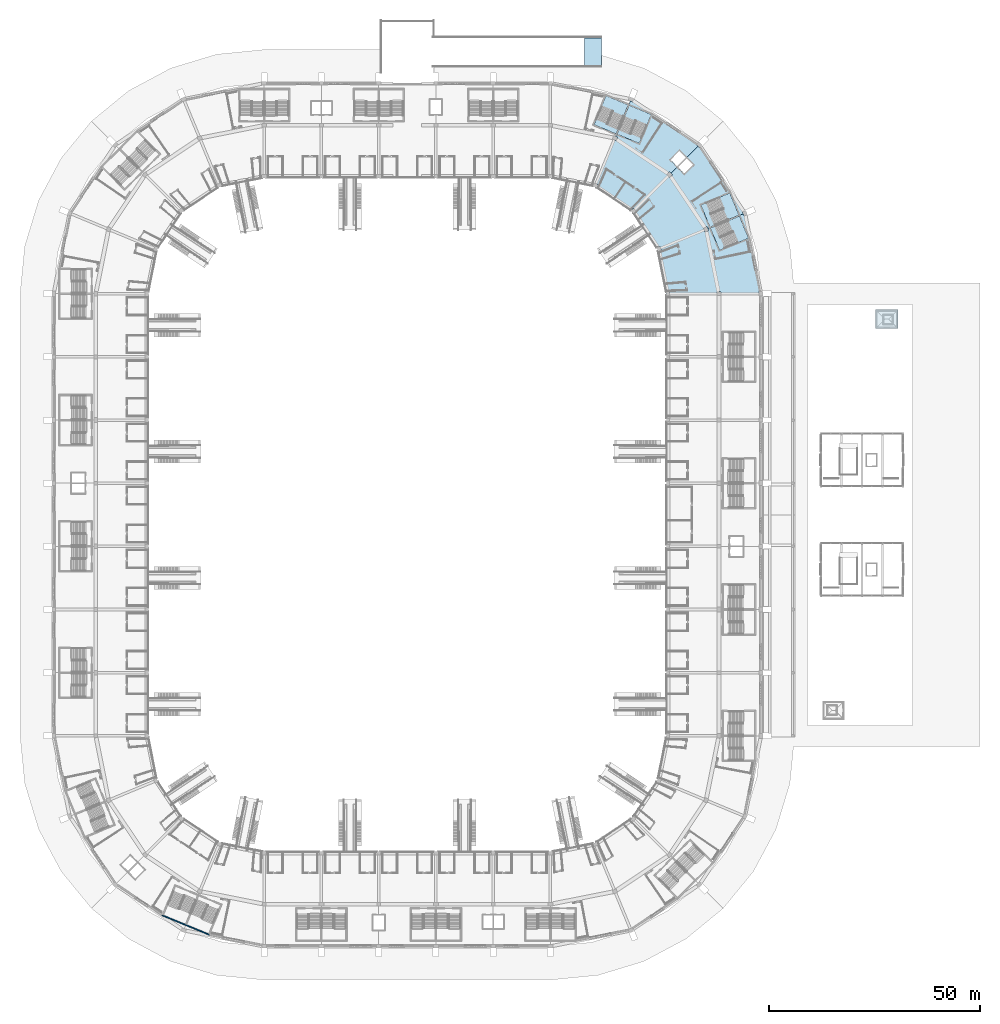
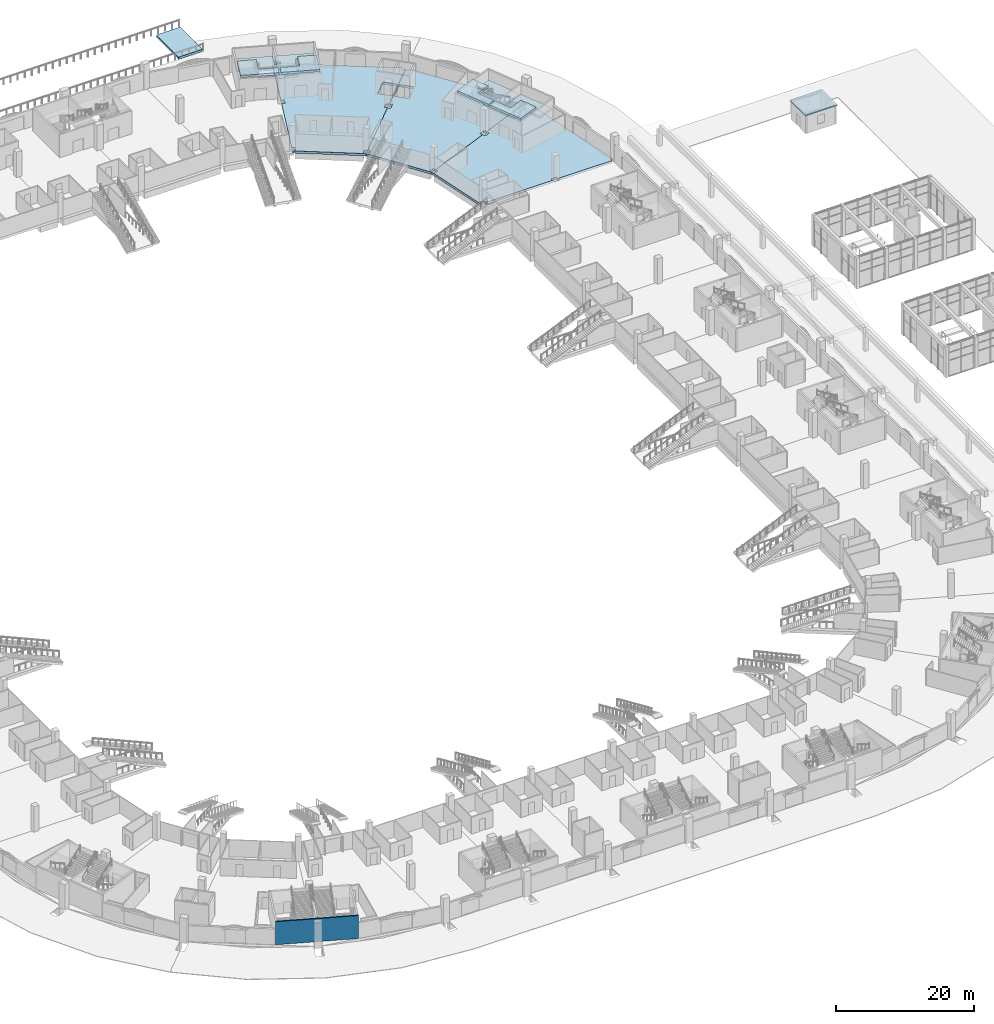
# One storey, part 24 of 175: 13 slabs, 1 wall, 4 elements without a shape of their own.
"""IFC4 building model written with IfcOpenShell, lengths in metres."""

from ifc_helpers import new_model, si_unit, direction, frame, frame_2d, origin, place, context, subcontext, project, spatial, polyline, rectangle, outline, extrude, material, layer, layer_set, type_object, element, aggregate, save


model = new_model("IFC4")

# Units and contexts
model_context = context("Model", 3, precision=1e-05, world=origin(), true_north=direction((0.0, 1.0)))
body_context = subcontext(model_context, "Body", "Model", "MODEL_VIEW")
ifc_project = project(units=[si_unit("LENGTHUNIT", "METRE"), si_unit("AREAUNIT", "SQUARE_METRE"), si_unit("VOLUMEUNIT", "CUBIC_METRE"), si_unit("PLANEANGLEUNIT", "RADIAN"), si_unit("MASSUNIT", "GRAM", prefix="KILO")], contexts=[model_context])

# Site, building, storey
site_placement = place(None, origin())
site = spatial("IfcSite", under=ifc_project, at=site_placement, CompositionType="ELEMENT")
building_placement = place(site_placement, origin())
building = spatial("IfcBuilding", under=site, at=building_placement, Name="Ogive Plaza Stadium", CompositionType="ELEMENT")
storey_placement = place(building_placement, origin())
storey = spatial("IfcBuildingStorey", under=building, at=storey_placement, Name="L00", CompositionType="ELEMENT", Elevation=0.0)

# Slabs
ifc_material_1 = material(Name="Concrete C40/50", Category="concrete")
ifc_layer_1 = layer(ifc_material_1, 0.199951171875)
ifc_layer_set_1 = layer_set([ifc_layer_1], Name="Concrete C40/50")
slab_type_1 = type_object("IfcSlabType", Name="Kiosk roof slab 200", PredefinedType="ROOF", material=ifc_layer_set_1)
slab_1_placement = place(storey_placement, frame((0.0, 0.0, 3.199951171875)))
element("IfcSlab", 1, at=slab_1_placement, inside=storey, type_object=slab_type_1, Name="Kiosk 2 roof", PredefinedType="ROOF", context=body_context, shape_type="SweptSolid", body=[
    extrude(outline(polyline([(111.199951171875, 44.199951171875), (116.60009765625, 44.199951171875), (116.60009765625, 48.699951171875), (111.199951171875, 48.699951171875), (111.199951171875, 44.199951171875)])), origin(), (0.0, 0.0, 1.0), 0.199951171875),
])
ifc_material_2 = material(Name="Concrete C40/50", Category="concrete")
ifc_layer_2 = layer(ifc_material_2, 0.409912109375)
ifc_layer_set_2 = layer_set([ifc_layer_2], Name="Concrete C40/50")
slab_type_2 = type_object("IfcSlabType", Name="RC floor slab 410", PredefinedType="FLOOR", material=ifc_layer_set_2)
slab_2_placement = place(storey_placement, frame((0.0, 0.0, -0.409912109375)))
element("IfcSlab", 2, at=slab_2_placement, inside=storey, type_object=slab_type_2, Name="Floor slab L00 B38", PredefinedType="FLOOR", context=body_context, shape_type="SweptSolid", body=[
    extrude(outline(polyline([(61.966064453125, 80.466064453125), (61.612548828125, 80.819580078125), (62.2490234375, 81.4560546875), (62.6025390625, 81.1025390625), (69.037109375, 87.537109375), (68.648193359375, 87.926025390625), (68.88916015625, 88.1669921875), (53.600341796875, 98.38232421875), (53.47021484375, 98.06787109375), (52.9619140625, 98.2783203125), (49.4794921875, 89.870849609375), (49.94140625, 89.6796875), (49.59716796875, 88.84814453125), (49.135009765625, 89.03955078125), (44.829833984375, 78.645751953125), (45.24560546875, 78.4736328125), (44.939453125, 77.734375), (44.523681640625, 77.90673828125), (53.445556640625, 71.945556640625), (53.127197265625, 72.263671875), (53.69287109375, 72.829345703125), (54.01123046875, 72.51123046875), (61.966064453125, 80.466064453125)]), holes=[polyline([(64.06982421875, 82.74658203125), (66.19091796875, 84.867919921875), (64.635498046875, 86.42333984375), (62.51416015625, 84.30224609375), (64.06982421875, 82.74658203125)])]), origin(), (0.0, 0.0, 1.0), 0.409912109375),
])
slab_3_placement = place(storey_placement, frame((0.0, 0.0, -0.409912109375)))
element("IfcSlab", 3, at=slab_3_placement, inside=storey, type_object=slab_type_2, Name="Floor slab L00 B39", PredefinedType="FLOOR", context=body_context, shape_type="SweptSolid", body=[
    extrude(outline(polyline([(70.53955078125, 67.635009765625), (70.34814453125, 68.09716796875), (71.1796875, 68.44140625), (71.370849609375, 67.9794921875), (79.7783203125, 71.4619140625), (79.56787109375, 71.97021484375), (79.88232421875, 72.100341796875), (69.6669921875, 87.38916015625), (69.426025390625, 87.148193359375), (69.037109375, 87.537109375), (62.6025390625, 81.1025390625), (62.9560546875, 80.7490234375), (62.319580078125, 80.112548828125), (61.966064453125, 80.466064453125), (54.01123046875, 72.51123046875), (54.329345703125, 72.19287109375), (53.763671875, 71.627197265625), (53.445556640625, 71.945556640625), (59.40673828125, 63.023681640625), (59.234375, 63.439453125), (59.9736328125, 63.74560546875), (60.145751953125, 63.329833984375), (70.53955078125, 67.635009765625)]), holes=[polyline([(65.80224609375, 81.01416015625), (67.92333984375, 83.135498046875), (66.367919921875, 84.69091796875), (64.24658203125, 82.56982421875), (65.80224609375, 81.01416015625)])]), origin(), (0.0, 0.0, 1.0), 0.409912109375),
])
slab_4_placement = place(storey_placement, frame((0.0, 0.0, -0.409912109375)))
element("IfcSlab", 4, at=slab_4_placement, inside=storey, type_object=slab_type_2, Name="Floor slab L00 B40", PredefinedType="FLOOR", context=body_context, shape_type="SweptSolid", body=[
    extrude(outline(polyline([(73.550048828125, 52.5), (73.550048828125, 52.949951171875), (74.449951171875, 52.949951171875), (74.449951171875, 52.5), (83.550048828125, 52.5), (83.550048828125, 53.0), (83.900634765625, 53.0), (80.303466796875, 71.084228515625), (79.98876953125, 70.953857421875), (79.7783203125, 71.4619140625), (71.370849609375, 67.9794921875), (71.562255859375, 67.517578125), (70.730712890625, 67.173095703125), (70.53955078125, 67.635009765625), (60.145751953125, 63.329833984375), (60.318115234375, 62.914306640625), (59.578857421875, 62.608154296875), (59.40673828125, 63.023681640625), (61.5, 52.5), (61.5, 52.89990234375), (62.300048828125, 52.89990234375), (62.300048828125, 52.5), (73.550048828125, 52.5)])), origin(), (0.0, 0.0, 1.0), 0.409912109375),
])
ifc_material_3 = material(Name="Concrete C35/45", Category="concrete")
ifc_layer_3 = layer(ifc_material_3, 0.39990234375)
ifc_layer_set_3 = layer_set([ifc_layer_3], Name="Concrete C35/45")
slab_type_3 = type_object("IfcSlabType", Name="Ramp head slab 400", PredefinedType="LANDING", material=ifc_layer_set_3)
slab_5_placement = place(storey_placement, frame((0.0, 0.0, -0.39990234375)))
element("IfcSlab", 5, at=slab_5_placement, inside=storey, type_object=slab_type_3, Name="Ramp head slab", PredefinedType="LANDING", context=body_context, shape_type="SweptSolid", body=[
    extrude(outline(polyline([(42.06005859375, 106.75), (46.06005859375, 106.75), (46.06005859375, 113.25), (42.06005859375, 113.25), (42.06005859375, 106.75)])), origin(), (0.0, 0.0, 1.0), 0.39990234375),
])

# Stair, slabs
ifc_material_4 = material(Name="Concrete C40/50", Category="concrete")
stair_type = type_object("IfcStairType", Name="Exit stair", PredefinedType="STRAIGHT_RUN_STAIR", material=ifc_material_4)
stair_1_placement = place(storey_placement, origin())
stair_1 = element("IfcStair", 6, at=stair_1_placement, inside=storey, type_object=stair_type, Name="Exit stair ST38A L00 to L01", PredefinedType="STRAIGHT_RUN_STAIR")
ifc_material_5 = material(Name="Concrete C40/50", Category="concrete")
ifc_layer_4 = layer(ifc_material_5, 0.39990234375)
ifc_layer_set_4 = layer_set([ifc_layer_4], Name="Concrete C40/50")
slab_type_4 = type_object("IfcSlabType", Name="Stair landing", PredefinedType="LANDING", material=ifc_layer_set_4)
slab_6_placement = place(storey_placement, frame((0.0, 0.0, 1.85009765625)))
slab_6 = element("IfcSlab", 7, at=slab_6_placement, type_object=slab_type_4, Name="ST38A landing 1", PredefinedType="LANDING", context=body_context, shape_type="SweptSolid", body=[
    extrude(outline(polyline([(52.679443359375, 97.26953125), (57.945556640625, 95.08837890625), (56.8740234375, 92.50146484375), (54.19482421875, 93.611083984375), (53.2763671875, 91.393798828125), (50.689453125, 92.46533203125), (51.60791015625, 94.6826171875), (52.679443359375, 97.26953125)])), origin(), (0.0, 0.0, 1.0), 0.39990234375),
])
slab_7_placement = place(storey_placement, frame((0.0, 0.0, 4.10009765625)))
slab_7 = element("IfcSlab", 8, at=slab_7_placement, type_object=slab_type_4, Name="ST38A landing 2", PredefinedType="LANDING", context=body_context, shape_type="SweptSolid", body=[
    extrude(outline(polyline([(53.919921875, 92.68603515625), (56.506591796875, 91.614501953125), (55.588134765625, 89.397216796875), (55.0908203125, 88.196044921875), (49.82470703125, 90.37744140625), (50.322021484375, 91.578369140625), (53.00146484375, 90.46875), (53.919921875, 92.68603515625)])), origin(), (0.0, 0.0, 1.0), 0.39990234375),
])
aggregate(stair_1, [slab_6, slab_7])

stair_2_placement = place(storey_placement, origin())
stair_2 = element("IfcStair", 9, at=stair_2_placement, inside=storey, type_object=stair_type, Name="Exit stair ST38B L00 to L01", PredefinedType="STRAIGHT_RUN_STAIR")
slab_8_placement = place(storey_placement, frame((0.0, 0.0, 1.85009765625)))
slab_8 = element("IfcSlab", 10, at=slab_8_placement, type_object=slab_type_4, Name="ST38B landing 1", PredefinedType="LANDING", context=body_context, shape_type="SweptSolid", body=[
    extrude(outline(polyline([(50.45849609375, 92.56103515625), (47.87158203125, 93.632568359375), (48.7900390625, 95.849853515625), (46.11083984375, 96.959716796875), (47.182373046875, 99.546630859375), (52.448486328125, 97.365234375), (51.376953125, 94.7783203125), (50.45849609375, 92.56103515625)])), origin(), (0.0, 0.0, 1.0), 0.39990234375),
])
slab_9_placement = place(storey_placement, frame((0.0, 0.0, 4.10009765625)))
slab_9 = element("IfcSlab", 11, at=slab_9_placement, type_object=slab_type_4, Name="ST38B landing 2", PredefinedType="LANDING", context=body_context, shape_type="SweptSolid", body=[
    extrude(outline(polyline([(50.091064453125, 91.674072265625), (49.59375, 90.47314453125), (44.32763671875, 92.654296875), (44.824951171875, 93.85546875), (45.743408203125, 96.07275390625), (48.330322265625, 95.001220703125), (47.411865234375, 92.783935546875), (50.091064453125, 91.674072265625)])), origin(), (0.0, 0.0, 1.0), 0.39990234375),
])
aggregate(stair_2, [slab_8, slab_9])

stair_3_placement = place(storey_placement, origin())
stair_3 = element("IfcStair", 12, at=stair_3_placement, inside=storey, type_object=stair_type, Name="Exit stair ST40A L00 to L01", PredefinedType="STRAIGHT_RUN_STAIR")
slab_10_placement = place(storey_placement, frame((0.0, 0.0, 1.85009765625)))
slab_10 = element("IfcSlab", 13, at=slab_10_placement, type_object=slab_type_4, Name="ST40A landing 1", PredefinedType="LANDING", context=body_context, shape_type="SweptSolid", body=[
    extrude(outline(polyline([(78.865234375, 70.948486328125), (81.046630859375, 65.682373046875), (78.459716796875, 64.61083984375), (77.349853515625, 67.2900390625), (75.132568359375, 66.37158203125), (74.06103515625, 68.95849609375), (76.2783203125, 69.876953125), (78.865234375, 70.948486328125)])), origin(), (0.0, 0.0, 1.0), 0.39990234375),
])
slab_11_placement = place(storey_placement, frame((0.0, 0.0, 4.10009765625)))
slab_11 = element("IfcSlab", 14, at=slab_11_placement, type_object=slab_type_4, Name="ST40A landing 2", PredefinedType="LANDING", context=body_context, shape_type="SweptSolid", body=[
    extrude(outline(polyline([(76.501220703125, 66.830322265625), (77.57275390625, 64.243408203125), (75.35546875, 63.324951171875), (74.154296875, 62.82763671875), (71.97314453125, 68.09375), (73.174072265625, 68.591064453125), (74.283935546875, 65.911865234375), (76.501220703125, 66.830322265625)])), origin(), (0.0, 0.0, 1.0), 0.39990234375),
])
aggregate(stair_3, [slab_10, slab_11])

stair_4_placement = place(storey_placement, origin())
stair_4 = element("IfcStair", 15, at=stair_4_placement, inside=storey, type_object=stair_type, Name="Exit stair ST40B L00 to L01", PredefinedType="STRAIGHT_RUN_STAIR")
slab_12_placement = place(storey_placement, frame((0.0, 0.0, 1.85009765625)))
slab_12 = element("IfcSlab", 16, at=slab_12_placement, type_object=slab_type_4, Name="ST40B landing 1", PredefinedType="LANDING", context=body_context, shape_type="SweptSolid", body=[
    extrude(outline(polyline([(73.96533203125, 69.189453125), (72.893798828125, 71.7763671875), (75.111083984375, 72.69482421875), (74.00146484375, 75.3740234375), (76.58837890625, 76.445556640625), (78.76953125, 71.179443359375), (76.1826171875, 70.10791015625), (73.96533203125, 69.189453125)])), origin(), (0.0, 0.0, 1.0), 0.39990234375),
])
slab_13_placement = place(storey_placement, frame((0.0, 0.0, 4.10009765625)))
slab_13 = element("IfcSlab", 17, at=slab_13_placement, type_object=slab_type_4, Name="ST40B landing 2", PredefinedType="LANDING", context=body_context, shape_type="SweptSolid", body=[
    extrude(outline(polyline([(73.078369140625, 68.822021484375), (71.87744140625, 68.32470703125), (69.696044921875, 73.5908203125), (70.897216796875, 74.088134765625), (73.114501953125, 75.006591796875), (74.18603515625, 72.419921875), (71.96875, 71.50146484375), (73.078369140625, 68.822021484375)])), origin(), (0.0, 0.0, 1.0), 0.39990234375),
])
aggregate(stair_4, [slab_12, slab_13])

# Wall
ifc_material_6 = material(Name="Concrete C40/50", Category="concrete")
ifc_layer_5 = layer(ifc_material_6, 0.25)
ifc_layer_set_5 = layer_set([ifc_layer_5], Name="Concrete C40/50")
wall_type = type_object("IfcWallType", Name="Core wall 250", PredefinedType="SHEAR", material=ifc_layer_set_5)
wall_placement = place(storey_placement, frame((-58.224365234375, -95.108154296875, 0.0), z_axis=(0.0, 0.0, 1.0), x_axis=(0.923884584817, -0.382671234792, 0.0)))
element("IfcWall", 18, at=wall_placement, inside=storey, type_object=wall_type, Name="Stair core R18 outer wall", PredefinedType="SHEAR", context=body_context, shape_type="SweptSolid", body=[
    extrude(rectangle(XDim=12.14990234375, YDim=0.25, at=frame_2d((6.074951171875, 0.0))), origin(), (0.0, 0.0, 1.0), 4.090087890625),
])

save(model, "model.ifc")
